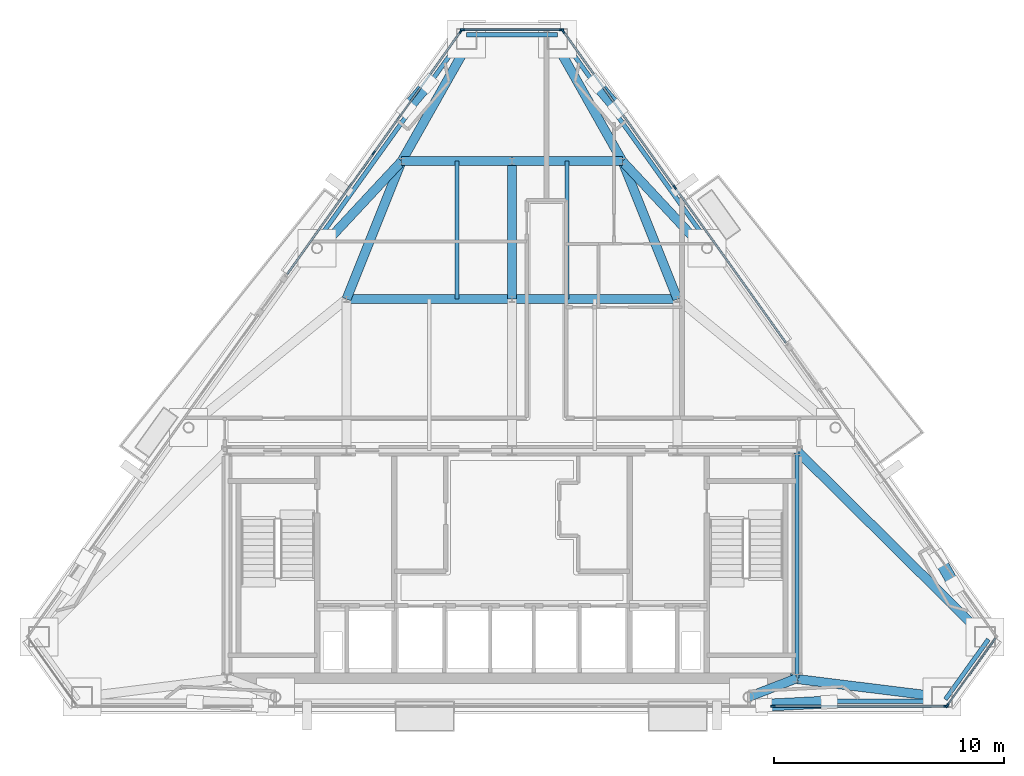
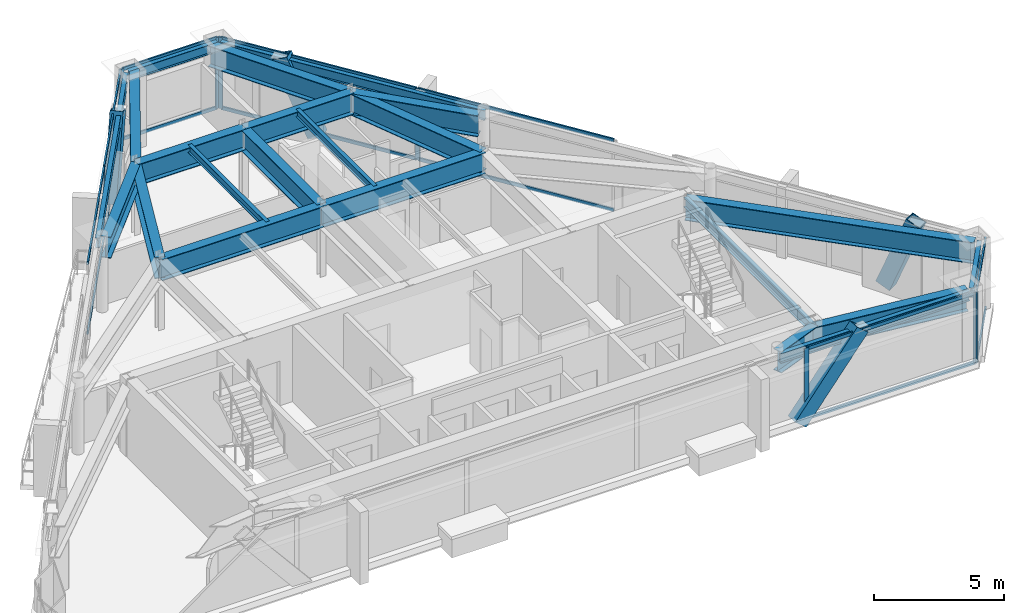
# One storey, part 5 of 11: 27 members, 22 beams, 5 elements without a shape of their own.
"""IFC4 building model written with IfcOpenShell, lengths in metres."""

from ifc_helpers import new_model, si_unit, direction, frame, origin, origin_2d, place, context, subcontext, project, spatial, rectangle, hollow_rectangle, i_section, extrude, material, layer, layer_set, material_profile, profile_set, type_object, element, aggregate, save


model = new_model("IFC4")

# Units and contexts
model_context = context("Model", 3, precision=1e-05, world=origin(), true_north=direction((0.0, 1.0)))
body_context = subcontext(model_context, "Body", "Model", "MODEL_VIEW")
ifc_project = project(units=[si_unit("LENGTHUNIT", "METRE"), si_unit("AREAUNIT", "SQUARE_METRE"), si_unit("VOLUMEUNIT", "CUBIC_METRE"), si_unit("PLANEANGLEUNIT", "RADIAN"), si_unit("MASSUNIT", "GRAM", prefix="KILO")], contexts=[model_context])

# Site, building, storey
site_placement = place(None, origin())
site = spatial("IfcSite", under=ifc_project, at=site_placement, CompositionType="ELEMENT")
building_placement = place(site_placement, origin())
building = spatial("IfcBuilding", under=site, at=building_placement, Name="Talgorran Terracotta Tower", CompositionType="ELEMENT")
storey_placement = place(building_placement, frame((0.0, 0.0, 274.199951171875)))
storey = spatial("IfcBuildingStorey", under=building, at=storey_placement, Name="L72", CompositionType="ELEMENT", Elevation=274.199951171875)

# Beams
ifc_material_1 = material(Name="Steel Grade 350 (350L0)", Category="steel")
ifc_material_profile_1 = material_profile(ifc_material_1, i_section(OverallWidth=0.39990234375, OverallDepth=1.0, WebThickness=0.01611328125, FlangeThickness=0.031005859375, at=origin_2d()), Name="1000WB296")
ifc_profile_set_1 = profile_set([ifc_material_profile_1], Name="Steel Grade 350 (350L0)")
beam_type_1 = type_object("IfcBeamType", Name="BM_1000WB296", PredefinedType="BEAM", material=ifc_profile_set_1)
beam_1_placement = place(storey_placement, frame((12.39990234375, -14.10009765625, 2.844970703125), z_axis=(-0.932081672707, -0.362248195859, 0.0), x_axis=(0.362248195859, -0.932081672707, 0.0)))
element("IfcBeam", 1, at=beam_1_placement, inside=storey, type_object=beam_type_1, Name="L72 South-East Core Tie Beam", PredefinedType="BEAM", context=body_context, shape_type="SweptSolid", body=[
    extrude(i_section(OverallWidth=0.39990234375, OverallDepth=1.0, WebThickness=0.01611328125, FlangeThickness=0.031005859375, at=origin_2d()), origin(), (0.0, 0.0, 1.0), 2.260498046875),
])
beam_2_placement = place(storey_placement, frame((18.71435546875, -14.9189453125, 2.844970703125), z_axis=(-0.992423710786, 0.122862436364, 0.0), x_axis=(-0.122862436364, -0.992423710786, 0.0)))
element("IfcBeam", 2, at=beam_2_placement, inside=storey, type_object=beam_type_1, Name="L72 Perimeter Step Girder 5", PredefinedType="BEAM", context=body_context, shape_type="SweptSolid", body=[
    extrude(i_section(OverallWidth=0.39990234375, OverallDepth=1.0, WebThickness=0.01611328125, FlangeThickness=0.031005859375, at=origin_2d()), origin(), (0.0, 0.0, 1.0), 6.664794921875),
])
for number, where, z_axis, x_axis, name in (
    (3, (1.697998046875, 13.889404296875, 2.844970703125), (0.491971771533, -0.870611150867, 0.0), (0.870611150867, 0.491971771533, 0.0), "L72 Perimeter Step Girder 9B"),
    (4, (-1.697998046875, 13.889404296875, 2.844970703125), (-0.491971771533, -0.870611150867, 0.0), (0.870611150867, -0.491971771533, 0.0), "L72 Perimeter Step Girder 10B"),
):
    element("IfcBeam", number, at=place(storey_placement, frame(where, z_axis=z_axis, x_axis=x_axis)), inside=storey, type_object=beam_type_1, Name=name, PredefinedType="BEAM", context=body_context, shape_type="SweptSolid", body=[
        extrude(i_section(OverallWidth=0.39990234375, OverallDepth=1.0, WebThickness=0.01611328125, FlangeThickness=0.031005859375, at=origin_2d()), origin(), (0.0, 0.0, 1.0), 6.305419921875),
    ])
for number, where, z_axis, x_axis, name in (
    (5, (-7.199951171875, 2.39990234375, 2.844970703125), (1.0, 0.0, 0.0), (0.0, 1.0, 0.0), "L72 Floor Girder G04"),
    (6, (0.0, 2.39990234375, 2.844970703125), (1.0, 0.0, 0.0), (0.0, 1.0, 0.0), "L72 Floor Girder G05"),
):
    element("IfcBeam", number, at=place(storey_placement, frame(where, z_axis=z_axis, x_axis=x_axis)), inside=storey, type_object=beam_type_1, Name=name, PredefinedType="BEAM", context=body_context, shape_type="SweptSolid", body=[
        extrude(i_section(OverallWidth=0.39990234375, OverallDepth=1.0, WebThickness=0.01611328125, FlangeThickness=0.031005859375, at=origin_2d()), origin(), (0.0, 0.0, 1.0), 7.199951171875),
    ])
beam_3_placement = place(storey_placement, frame((-7.199951171875, 2.39990234375, 2.844970703125), z_axis=(0.371377648723, 0.928481901832, 0.0), x_axis=(-0.928481901832, 0.371377648723, 0.0)))
element("IfcBeam", 7, at=beam_3_placement, inside=storey, type_object=beam_type_1, Name="L72 Floor Girder G08", PredefinedType="BEAM", context=body_context, shape_type="SweptSolid", body=[
    extrude(i_section(OverallWidth=0.39990234375, OverallDepth=1.0, WebThickness=0.01611328125, FlangeThickness=0.031005859375, at=origin_2d()), origin(), (0.0, 0.0, 1.0), 6.462158203125),
])
beam_4_placement = place(storey_placement, frame((0.0, 2.39990234375, 2.844970703125), z_axis=(0.0, 1.0, 0.0), x_axis=(-1.0, 0.0, 0.0)))
element("IfcBeam", 8, at=beam_4_placement, inside=storey, type_object=beam_type_1, Name="L72 Floor Girder G09", PredefinedType="BEAM", context=body_context, shape_type="SweptSolid", body=[
    extrude(i_section(OverallWidth=0.39990234375, OverallDepth=1.0, WebThickness=0.01611328125, FlangeThickness=0.031005859375, at=origin_2d()), origin(), (0.0, 0.0, 1.0), 6.0),
])
beam_5_placement = place(storey_placement, frame((7.199951171875, 2.39990234375, 2.844970703125), z_axis=(-0.371377648723, 0.928481901832, 0.0), x_axis=(-0.928481901832, -0.371377648723, 0.0)))
element("IfcBeam", 9, at=beam_5_placement, inside=storey, type_object=beam_type_1, Name="L72 Floor Girder G10", PredefinedType="BEAM", context=body_context, shape_type="SweptSolid", body=[
    extrude(i_section(OverallWidth=0.39990234375, OverallDepth=1.0, WebThickness=0.01611328125, FlangeThickness=0.031005859375, at=origin_2d()), origin(), (0.0, 0.0, 1.0), 6.462158203125),
])
for number, where, z_axis, x_axis, name in (
    (10, (-4.800048828125, 8.39990234375, 2.844970703125), (1.0, 0.0, 0.0), (0.0, 1.0, 0.0), "L72 Floor Girder G11"),
    (11, (0.0, 8.39990234375, 2.844970703125), (1.0, 0.0, 0.0), (0.0, 1.0, 0.0), "L72 Floor Girder G12"),
):
    element("IfcBeam", number, at=place(storey_placement, frame(where, z_axis=z_axis, x_axis=x_axis)), inside=storey, type_object=beam_type_1, Name=name, PredefinedType="BEAM", context=body_context, shape_type="SweptSolid", body=[
        extrude(i_section(OverallWidth=0.39990234375, OverallDepth=1.0, WebThickness=0.01611328125, FlangeThickness=0.031005859375, at=origin_2d()), origin(), (0.0, 0.0, 1.0), 4.800048828125),
    ])
for number, where, z_axis, x_axis, name in (
    (12, (-4.800048828125, 8.39990234375, 2.844970703125), (-0.681815691215, -0.731524000435, 0.0), (0.731524000435, -0.681815691215, 0.0), "L72 Floor Girder G13"),
    (13, (4.800048828125, 8.39990234375, 2.844970703125), (0.681815691215, -0.731524000435, 0.0), (0.731524000435, 0.681815691215, 0.0), "L72 Floor Girder G14"),
):
    element("IfcBeam", number, at=place(storey_placement, frame(where, z_axis=z_axis, x_axis=x_axis)), inside=storey, type_object=beam_type_1, Name=name, PredefinedType="BEAM", context=body_context, shape_type="SweptSolid", body=[
        extrude(i_section(OverallWidth=0.39990234375, OverallDepth=1.0, WebThickness=0.01611328125, FlangeThickness=0.031005859375, at=origin_2d()), origin(), (0.0, 0.0, 1.0), 5.142333984375),
    ])
beam_6_placement = place(storey_placement, frame((12.39990234375, -4.199951171875, 2.844970703125), z_axis=(0.710637755688, -0.703558085868, 0.0), x_axis=(0.703558085868, 0.710637755688, 0.0)))
element("IfcBeam", 14, at=beam_6_placement, inside=storey, type_object=beam_type_1, Name="L72 Floor Girder G18", PredefinedType="BEAM", context=body_context, shape_type="SweptSolid", body=[
    extrude(i_section(OverallWidth=0.39990234375, OverallDepth=1.0, WebThickness=0.01611328125, FlangeThickness=0.031005859375, at=origin_2d()), origin(), (0.0, 0.0, 1.0), 11.517822265625),
])
ifc_material_2 = material(Name="Steel S355 (300PLUS)", Category="steel")
ifc_material_profile_2 = material_profile(ifc_material_2, i_section(OverallWidth=0.17138671875, OverallDepth=0.355712890625, WebThickness=0.00732421875, FlangeThickness=0.011474609375, at=origin_2d()), Name="360UB50.7")
ifc_profile_set_2 = profile_set([ifc_material_profile_2], Name="Steel S355 (300PLUS)")
beam_type_2 = type_object("IfcBeamType", Name="BM_JS_360UB51", PredefinedType="JOIST", material=ifc_profile_set_2)
for number, where, z_axis, x_axis, name in (
    (15, (-2.39990234375, 2.39990234375, 3.167236328125), (0.0, 1.0, 0.0), (-1.0, 0.0, 0.0), "L72 Secondary Joist J03"),
    (16, (2.39990234375, 2.39990234375, 3.167236328125), (0.0, 1.0, 0.0), (-1.0, 0.0, 0.0), "L72 Secondary Joist J04"),
):
    element("IfcBeam", number, at=place(storey_placement, frame(where, z_axis=z_axis, x_axis=x_axis)), inside=storey, type_object=beam_type_2, Name=name, PredefinedType="JOIST", context=body_context, shape_type="SweptSolid", body=[
        extrude(i_section(OverallWidth=0.17138671875, OverallDepth=0.355712890625, WebThickness=0.00732421875, FlangeThickness=0.011474609375, at=origin_2d()), origin(), (0.0, 0.0, 1.0), 6.0),
    ])
ifc_material_profile_3 = material_profile(ifc_material_2, i_section(OverallWidth=0.18994140625, OverallDepth=0.45703125, WebThickness=0.009033203125, FlangeThickness=0.014404296875, at=origin_2d()), Name="460UB74.6")
ifc_profile_set_3 = profile_set([ifc_material_profile_3], Name="Steel S355 (300PLUS)")
beam_type_3 = type_object("IfcBeamType", Name="BM_SP_460UB74", PredefinedType="SPANDREL", material=ifc_profile_set_3)
beam_7_placement = place(storey_placement, frame((10.29296875, -15.098876953125, 3.116455078125), z_axis=(1.0, 0.0, 0.0), x_axis=(0.0, 1.0, 0.0)))
element("IfcBeam", 17, at=beam_7_placement, inside=storey, type_object=beam_type_3, Name="L72 Perimeter Spandrel Beam FC2-MC3", PredefinedType="SPANDREL", context=body_context, shape_type="SweptSolid", body=[
    extrude(i_section(OverallWidth=0.18994140625, OverallDepth=0.45703125, WebThickness=0.009033203125, FlangeThickness=0.014404296875, at=origin_2d()), origin(), (0.0, 0.0, 1.0), 8.42138671875),
])
beam_8_placement = place(storey_placement, frame((18.860595703125, -15.023681640625, 3.116455078125), z_axis=(0.581733647308, 0.8133793479, 0.0), x_axis=(-0.8133793479, 0.581733647308, 0.0)))
element("IfcBeam", 18, at=beam_8_placement, inside=storey, type_object=beam_type_3, Name="L72 Perimeter Spandrel Beam MC3-MC4", PredefinedType="SPANDREL", context=body_context, shape_type="SweptSolid", body=[
    extrude(i_section(OverallWidth=0.18994140625, OverallDepth=0.45703125, WebThickness=0.009033203125, FlangeThickness=0.014404296875, at=origin_2d()), origin(), (0.0, 0.0, 1.0), 3.215576171875),
])
beam_9_placement = place(storey_placement, frame((8.635009765625, 4.71435546875, 3.116455078125), z_axis=(-0.58172898954, 0.813382679142, 0.0), x_axis=(-0.813382679142, -0.58172898954, 0.0)))
element("IfcBeam", 19, at=beam_9_placement, inside=storey, type_object=beam_type_3, Name="L72 Perimeter Spandrel Beam FC4-MC5", PredefinedType="SPANDREL", context=body_context, shape_type="SweptSolid", body=[
    extrude(i_section(OverallWidth=0.18994140625, OverallDepth=0.45703125, WebThickness=0.009033203125, FlangeThickness=0.014404296875, at=origin_2d()), origin(), (0.0, 0.0, 1.0), 11.19677734375),
])
beam_10_placement = place(storey_placement, frame((1.97509765625, 13.896728515625, 3.116455078125), z_axis=(-1.0, 0.0, 0.0), x_axis=(0.0, -1.0, 0.0)))
element("IfcBeam", 20, at=beam_10_placement, inside=storey, type_object=beam_type_3, Name="L72 Perimeter Spandrel Beam MC5-MC6", PredefinedType="SPANDREL", context=body_context, shape_type="SweptSolid", body=[
    extrude(i_section(OverallWidth=0.18994140625, OverallDepth=0.45703125, WebThickness=0.009033203125, FlangeThickness=0.014404296875, at=origin_2d()), origin(), (0.0, 0.0, 1.0), 3.9501953125),
])
beam_11_placement = place(storey_placement, frame((-2.12158203125, 13.821533203125, 3.116455078125), z_axis=(-0.58172898954, -0.813382679142, 0.0), x_axis=(0.813382679142, -0.58172898954, 0.0)))
element("IfcBeam", 21, at=beam_11_placement, inside=storey, type_object=beam_type_3, Name="L72 Perimeter Spandrel Beam MC6-FC5", PredefinedType="SPANDREL", context=body_context, shape_type="SweptSolid", body=[
    extrude(i_section(OverallWidth=0.18994140625, OverallDepth=0.45703125, WebThickness=0.009033203125, FlangeThickness=0.014404296875, at=origin_2d()), origin(), (0.0, 0.0, 1.0), 11.19677734375),
])
beam_12_placement = place(storey_placement, frame((12.39990234375, -14.10009765625, 3.116455078125), z_axis=(0.0, 1.0, 0.0), x_axis=(-1.0, 0.0, 0.0)))
element("IfcBeam", 22, at=beam_12_placement, inside=storey, type_object=beam_type_3, Name="L72 Core Frame Beam CFE", PredefinedType="SPANDREL", context=body_context, shape_type="SweptSolid", body=[
    extrude(i_section(OverallWidth=0.18994140625, OverallDepth=0.45703125, WebThickness=0.009033203125, FlangeThickness=0.014404296875, at=origin_2d()), origin(), (0.0, 0.0, 1.0), 9.900146484375),
])

# Members
ifc_material_profile_4 = material_profile(ifc_material_1, hollow_rectangle(XDim=0.52001953125, YDim=0.659912109375, WallThickness=0.034912109375, at=origin_2d()), Name="WBOX660X520X35")
ifc_profile_set_4 = profile_set([ifc_material_profile_4], Name="Steel Grade 350 (350L0)")
member_type_1 = type_object("IfcMemberType", Name="MB_MEGA_660", PredefinedType="BRACE", material=ifc_profile_set_4)
member_1_placement = place(storey_placement, frame((10.961669921875, -15.27880859375, -0.02490234375), z_axis=(0.641393938634, 0.032576814862, 0.766519775751), x_axis=(-0.050725264119, 0.998712645149, 0.0)))
element("IfcMember", 23, at=member_1_placement, inside=storey, type_object=member_type_1, Name="L72 Exterior Face Mega-Brace MB-3 (SEF)", PredefinedType="BRACE", context=body_context, shape_type="SweptSolid", body=[
    extrude(hollow_rectangle(XDim=0.52001953125, YDim=0.659912109375, WallThickness=0.034912109375, at=origin_2d()), origin(), (0.0, 0.0, 1.0), 4.42919921875),
])
member_2_placement = place(storey_placement, frame((18.593505859375, -8.900390625, -0.02490234375), z_axis=(0.182497886577, -0.322176905916, 0.92892225869), x_axis=(0.870102136053, 0.492871456707, 0.0)))
element("IfcMember", 24, at=member_2_placement, inside=storey, type_object=member_type_1, Name="L72 Exterior Face Mega-Brace MB-3 (NEL)", PredefinedType="BRACE", context=body_context, shape_type="SweptSolid", body=[
    extrude(hollow_rectangle(XDim=0.52001953125, YDim=0.659912109375, WallThickness=0.034912109375, at=origin_2d()), origin(), (0.0, 0.0, 1.0), 3.65478515625),
])
for number, where, z_axis, x_axis, name in (
    (25, (4.593994140625, 10.673583984375, -0.02490234375), (-0.257058118853, 0.30058363281, 0.918460997113), (-0.759986965306, -0.64993831443, 0.0), "L72 Exterior Face Mega-Brace MB-3 (NEU)"),
    (26, (-4.593994140625, 10.673583984375, -0.02490234375), (0.257058118853, 0.30058363281, 0.918460997113), (-0.759986965306, 0.64993831443, 0.0), "L72 Exterior Face Mega-Brace MB-3 (NWU)"),
):
    element("IfcMember", number, at=place(storey_placement, frame(where, z_axis=z_axis, x_axis=x_axis)), inside=storey, type_object=member_type_1, Name=name, PredefinedType="BRACE", context=body_context, shape_type="SweptSolid", body=[
        extrude(hollow_rectangle(XDim=0.52001953125, YDim=0.659912109375, WallThickness=0.034912109375, at=origin_2d()), origin(), (0.0, 0.0, 1.0), 3.696533203125),
    ])

# Curtain wall, members
ifc_material_3 = material(Name="High-Wind Unitised Glazing", Category="glass")
ifc_layer = layer(ifc_material_3, 0.2099609375, Name="CW_SYS3_RES_HIGH")
ifc_layer_set = layer_set([ifc_layer], Name="High-Wind Unitised Glazing")
curtain_wall_type = type_object("IfcCurtainWallType", Name="CW_SYS3_RES_HIGH", PredefinedType="NOTDEFINED", material=ifc_layer_set)
curtain_wall_1_placement = place(storey_placement, origin())
curtain_wall_1 = element("IfcCurtainWall", 27, at=curtain_wall_1_placement, inside=storey, type_object=curtain_wall_type, Name="CW-L72-F1", PredefinedType="NOTDEFINED")
ifc_material_4 = material(Name="Architectural Aluminium 6063-T6", Category="aluminium")
ifc_material_profile_5 = material_profile(ifc_material_4, rectangle(XDim=0.070068359375, YDim=0.199951171875, at=origin_2d()), Name="CWM70X200")
ifc_profile_set_5 = profile_set([ifc_material_profile_5], Name="Architectural Aluminium 6063-T6")
member_type_2 = type_object("IfcMemberType", Name="MUL_70X200", PredefinedType="MULLION", material=ifc_profile_set_5)
member_3_placement = place(storey_placement, frame((11.35205078125, -15.31884765625, 0.0), z_axis=(0.0, 0.0, 1.0), x_axis=(0.0, 1.0, 0.0)))
member_3 = element("IfcMember", 28, at=member_3_placement, type_object=member_type_2, Name="CW-L72-1 mullion 5", PredefinedType="MULLION", context=body_context, shape_type="SweptSolid", body=[
    extrude(rectangle(XDim=0.070068359375, YDim=0.199951171875, at=origin_2d()), origin(), (0.0, 0.0, 1.0), 3.344970703125),
])
member_4_placement = place(storey_placement, frame((18.885009765625, -15.31884765625, 0.0), z_axis=(0.0, 0.0, 1.0), x_axis=(0.0, 1.0, 0.0)))
member_4 = element("IfcMember", 29, at=member_4_placement, type_object=member_type_2, Name="CW-L72-1 mullion 6", PredefinedType="MULLION", context=body_context, shape_type="SweptSolid", body=[
    extrude(rectangle(XDim=0.070068359375, YDim=0.199951171875, at=origin_2d()), origin(), (0.0, 0.0, 1.0), 3.344970703125),
])

# Curtain wall, member
curtain_wall_2_placement = place(storey_placement, origin())
curtain_wall_2 = element("IfcCurtainWall", 30, at=curtain_wall_2_placement, inside=storey, type_object=curtain_wall_type, Name="CW-L72-F2", PredefinedType="NOTDEFINED")
member_5_placement = place(storey_placement, frame((18.9404296875, -15.29052734375, 0.0), z_axis=(0.0, 0.0, 1.0), x_axis=(-0.813370623345, 0.581745845777, 0.0)))
member_5 = element("IfcMember", 31, at=member_5_placement, type_object=member_type_2, Name="CW-L72-2 mullion 1", PredefinedType="MULLION", context=body_context, shape_type="SweptSolid", body=[
    extrude(rectangle(XDim=0.070068359375, YDim=0.199951171875, at=origin_2d()), origin(), (0.0, 0.0, 1.0), 3.344970703125),
])

# Curtain wall, members
curtain_wall_3_placement = place(storey_placement, origin())
curtain_wall_3 = element("IfcCurtainWall", 32, at=curtain_wall_3_placement, inside=storey, type_object=curtain_wall_type, Name="CW-L72-F41", PredefinedType="NOTDEFINED")
member_6_placement = place(storey_placement, frame((7.0810546875, 7.26513671875, 0.0), z_axis=(0.0, 0.0, 1.0), x_axis=(-0.813379914508, -0.581732855076, 0.0)))
member_6 = element("IfcMember", 33, at=member_6_placement, type_object=member_type_2, Name="CW-L72-41 mullion 2", PredefinedType="MULLION", context=body_context, shape_type="SweptSolid", body=[
    extrude(rectangle(XDim=0.070068359375, YDim=0.199951171875, at=origin_2d()), origin(), (0.0, 0.0, 1.0), 3.344970703125),
])
member_7_placement = place(storey_placement, frame((2.224365234375, 14.055908203125, 0.0), z_axis=(0.0, 0.0, 1.0), x_axis=(-0.813379914508, -0.581732855076, 0.0)))
member_7 = element("IfcMember", 34, at=member_7_placement, type_object=member_type_2, Name="CW-L72-41 mullion 3", PredefinedType="MULLION", context=body_context, shape_type="SweptSolid", body=[
    extrude(rectangle(XDim=0.070068359375, YDim=0.199951171875, at=origin_2d()), origin(), (0.0, 0.0, 1.0), 3.344970703125),
])

curtain_wall_4_placement = place(storey_placement, origin())
curtain_wall_4 = element("IfcCurtainWall", 35, at=curtain_wall_4_placement, inside=storey, type_object=curtain_wall_type, Name="CW-L72-F4", PredefinedType="NOTDEFINED")
member_8_placement = place(storey_placement, frame((2.145751953125, 14.11669921875, 0.0), z_axis=(0.0, 0.0, 1.0), x_axis=(0.0, -1.0, 0.0)))
member_8 = element("IfcMember", 36, at=member_8_placement, type_object=member_type_2, Name="CW-L72-4 mullion 1", PredefinedType="MULLION", context=body_context, shape_type="SweptSolid", body=[
    extrude(rectangle(XDim=0.070068359375, YDim=0.199951171875, at=origin_2d()), origin(), (0.0, 0.0, 1.0), 3.344970703125),
])
member_9_placement = place(storey_placement, frame((-2.145751953125, 14.11669921875, 0.0), z_axis=(0.0, 0.0, 1.0), x_axis=(0.0, -1.0, 0.0)))
member_9 = element("IfcMember", 37, at=member_9_placement, type_object=member_type_2, Name="CW-L72-4 mullion 2", PredefinedType="MULLION", context=body_context, shape_type="SweptSolid", body=[
    extrude(rectangle(XDim=0.070068359375, YDim=0.199951171875, at=origin_2d()), origin(), (0.0, 0.0, 1.0), 3.344970703125),
])

curtain_wall_5_placement = place(storey_placement, origin())
curtain_wall_5 = element("IfcCurtainWall", 38, at=curtain_wall_5_placement, inside=storey, type_object=curtain_wall_type, Name="CW-L72-F60", PredefinedType="NOTDEFINED")
member_10_placement = place(storey_placement, frame((-2.224365234375, 14.055908203125, 0.0), z_axis=(0.0, 0.0, 1.0), x_axis=(0.813381052188, -0.581731264367, 0.0)))
member_10 = element("IfcMember", 39, at=member_10_placement, type_object=member_type_2, Name="CW-L72-60 mullion 1", PredefinedType="MULLION", context=body_context, shape_type="SweptSolid", body=[
    extrude(rectangle(XDim=0.070068359375, YDim=0.199951171875, at=origin_2d()), origin(), (0.0, 0.0, 1.0), 3.344970703125),
])
member_11_placement = place(storey_placement, frame((-6.0146484375, 8.756591796875, 0.0), z_axis=(0.0, 0.0, 1.0), x_axis=(0.813381052188, -0.581731264367, 0.0)))
member_11 = element("IfcMember", 40, at=member_11_placement, type_object=member_type_2, Name="CW-L72-60 mullion 2", PredefinedType="MULLION", context=body_context, shape_type="SweptSolid", body=[
    extrude(rectangle(XDim=0.070068359375, YDim=0.199951171875, at=origin_2d()), origin(), (0.0, 0.0, 1.0), 3.344970703125),
])

# Member
ifc_material_profile_6 = material_profile(ifc_material_4, rectangle(XDim=0.070068359375, YDim=0.159912109375, at=origin_2d()), Name="CWT70X160")
ifc_profile_set_6 = profile_set([ifc_material_profile_6], Name="Architectural Aluminium 6063-T6")
member_type_3 = type_object("IfcMemberType", Name="TRN_70X160", PredefinedType="USERDEFINED", material=ifc_profile_set_6)
member_12_placement = place(storey_placement, frame((11.386962890625, -15.31884765625, 0.03515625), z_axis=(1.0, 0.0, 0.0), x_axis=(0.0, 1.0, 0.0)))
member_12 = element("IfcMember", 41, at=member_12_placement, type_object=member_type_3, Name="CW-L72-1 transom 5.1", ObjectType="TRANSOM", PredefinedType="USERDEFINED", context=body_context, shape_type="SweptSolid", body=[
    extrude(rectangle(XDim=0.070068359375, YDim=0.159912109375, at=origin_2d()), origin(), (0.0, 0.0, 1.0), 7.463134765625),
])

member_13_placement = place(storey_placement, frame((11.386962890625, -15.31884765625, 3.31005859375), z_axis=(1.0, 0.0, 0.0), x_axis=(0.0, 1.0, 0.0)))
member_13 = element("IfcMember", 42, at=member_13_placement, type_object=member_type_3, Name="CW-L72-1 transom 5.2", ObjectType="TRANSOM", PredefinedType="USERDEFINED", context=body_context, shape_type="SweptSolid", body=[
    extrude(rectangle(XDim=0.070068359375, YDim=0.159912109375, at=origin_2d()), origin(), (0.0, 0.0, 1.0), 7.463134765625),
])

aggregate(curtain_wall_1, [member_3, member_4, member_12, member_13])

member_14_placement = place(storey_placement, frame((18.960693359375, -15.261962890625, 0.03515625), z_axis=(0.581723630641, 0.813386511785, 0.0), x_axis=(-0.813386511785, 0.581723630641, 0.0)))
member_14 = element("IfcMember", 43, at=member_14_placement, type_object=member_type_3, Name="CW-L72-2 transom 1.1", ObjectType="TRANSOM", PredefinedType="USERDEFINED", context=body_context, shape_type="SweptSolid", body=[
    extrude(rectangle(XDim=0.070068359375, YDim=0.159912109375, at=origin_2d()), origin(), (0.0, 0.0, 1.0), 3.5673828125),
])

member_15_placement = place(storey_placement, frame((18.960693359375, -15.261962890625, 3.31005859375), z_axis=(0.581723630641, 0.813386511785, 0.0), x_axis=(-0.813386511785, 0.581723630641, 0.0)))
member_15 = element("IfcMember", 44, at=member_15_placement, type_object=member_type_3, Name="CW-L72-2 transom 1.2", ObjectType="TRANSOM", PredefinedType="USERDEFINED", context=body_context, shape_type="SweptSolid", body=[
    extrude(rectangle(XDim=0.070068359375, YDim=0.159912109375, at=origin_2d()), origin(), (0.0, 0.0, 1.0), 3.5673828125),
])

aggregate(curtain_wall_2, [member_5, member_14, member_15])

member_16_placement = place(storey_placement, frame((11.91748046875, 0.5029296875, 0.03515625), z_axis=(-0.581717901432, 0.813390609211, 0.0), x_axis=(-0.813390609211, -0.581717901432, 0.0)))
member_16 = element("IfcMember", 45, at=member_16_placement, type_object=member_type_3, Name="CW-L72-41 transom 1.1", ObjectType="TRANSOM", PredefinedType="USERDEFINED", context=body_context, shape_type="SweptSolid", body=[
    extrude(rectangle(XDim=0.070068359375, YDim=0.159912109375, at=origin_2d()), origin(), (0.0, 0.0, 1.0), 8.27880859375),
])

member_17_placement = place(storey_placement, frame((11.91748046875, 0.5029296875, 3.31005859375), z_axis=(-0.581717901432, 0.813390609211, 0.0), x_axis=(-0.813390609211, -0.581717901432, 0.0)))
member_17 = element("IfcMember", 46, at=member_17_placement, type_object=member_type_3, Name="CW-L72-41 transom 1.2", ObjectType="TRANSOM", PredefinedType="USERDEFINED", context=body_context, shape_type="SweptSolid", body=[
    extrude(rectangle(XDim=0.070068359375, YDim=0.159912109375, at=origin_2d()), origin(), (0.0, 0.0, 1.0), 8.27880859375),
])

member_18_placement = place(storey_placement, frame((7.060791015625, 7.293701171875, 0.03515625), z_axis=(-0.58173185524, 0.813380629594, 0.0), x_axis=(-0.813380629594, -0.58173185524, 0.0)))
member_18 = element("IfcMember", 47, at=member_18_placement, type_object=member_type_3, Name="CW-L72-41 transom 2.1", ObjectType="TRANSOM", PredefinedType="USERDEFINED", context=body_context, shape_type="SweptSolid", body=[
    extrude(rectangle(XDim=0.070068359375, YDim=0.159912109375, at=origin_2d()), origin(), (0.0, 0.0, 1.0), 8.278564453125),
])

member_19_placement = place(storey_placement, frame((7.060791015625, 7.293701171875, 3.31005859375), z_axis=(-0.58173185524, 0.813380629594, 0.0), x_axis=(-0.813380629594, -0.58173185524, 0.0)))
member_19 = element("IfcMember", 48, at=member_19_placement, type_object=member_type_3, Name="CW-L72-41 transom 2.2", ObjectType="TRANSOM", PredefinedType="USERDEFINED", context=body_context, shape_type="SweptSolid", body=[
    extrude(rectangle(XDim=0.070068359375, YDim=0.159912109375, at=origin_2d()), origin(), (0.0, 0.0, 1.0), 8.278564453125),
])

aggregate(curtain_wall_3, [member_6, member_7, member_16, member_17, member_18, member_19])

member_20_placement = place(storey_placement, frame((2.11083984375, 14.11669921875, 0.03515625), z_axis=(-1.0, 0.0, 0.0), x_axis=(0.0, -1.0, 0.0)))
member_20 = element("IfcMember", 49, at=member_20_placement, type_object=member_type_3, Name="CW-L72-4 transom 1.1", ObjectType="TRANSOM", PredefinedType="USERDEFINED", context=body_context, shape_type="SweptSolid", body=[
    extrude(rectangle(XDim=0.070068359375, YDim=0.159912109375, at=origin_2d()), origin(), (0.0, 0.0, 1.0), 4.2216796875),
])

member_21_placement = place(storey_placement, frame((2.11083984375, 14.11669921875, 3.31005859375), z_axis=(-1.0, 0.0, 0.0), x_axis=(0.0, -1.0, 0.0)))
member_21 = element("IfcMember", 50, at=member_21_placement, type_object=member_type_3, Name="CW-L72-4 transom 1.2", ObjectType="TRANSOM", PredefinedType="USERDEFINED", context=body_context, shape_type="SweptSolid", body=[
    extrude(rectangle(XDim=0.070068359375, YDim=0.159912109375, at=origin_2d()), origin(), (0.0, 0.0, 1.0), 4.2216796875),
])

aggregate(curtain_wall_4, [member_8, member_9, member_20, member_21])

member_22_placement = place(storey_placement, frame((-2.244873046875, 14.02734375, 0.03515625), z_axis=(-0.581718243071, -0.81339036488, 0.0), x_axis=(0.81339036488, -0.581718243071, 0.0)))
member_22 = element("IfcMember", 51, at=member_22_placement, type_object=member_type_3, Name="CW-L72-60 transom 1.1", ObjectType="TRANSOM", PredefinedType="USERDEFINED", context=body_context, shape_type="SweptSolid", body=[
    extrude(rectangle(XDim=0.070068359375, YDim=0.159912109375, at=origin_2d()), origin(), (0.0, 0.0, 1.0), 6.445068359375),
])

member_23_placement = place(storey_placement, frame((-2.244873046875, 14.02734375, 3.31005859375), z_axis=(-0.581718243071, -0.81339036488, 0.0), x_axis=(0.81339036488, -0.581718243071, 0.0)))
member_23 = element("IfcMember", 52, at=member_23_placement, type_object=member_type_3, Name="CW-L72-60 transom 1.2", ObjectType="TRANSOM", PredefinedType="USERDEFINED", context=body_context, shape_type="SweptSolid", body=[
    extrude(rectangle(XDim=0.070068359375, YDim=0.159912109375, at=origin_2d()), origin(), (0.0, 0.0, 1.0), 6.445068359375),
])

member_24_placement = place(storey_placement, frame((-6.034912109375, 8.72802734375, 0.03515625), z_axis=(-0.581718243071, -0.81339036488, 0.0), x_axis=(0.81339036488, -0.581718243071, 0.0)))
member_24 = element("IfcMember", 53, at=member_24_placement, type_object=member_type_3, Name="CW-L72-60 transom 2.1", ObjectType="TRANSOM", PredefinedType="USERDEFINED", context=body_context, shape_type="SweptSolid", body=[
    extrude(rectangle(XDim=0.070068359375, YDim=0.159912109375, at=origin_2d()), origin(), (0.0, 0.0, 1.0), 6.445068359375),
])

member_25_placement = place(storey_placement, frame((-6.034912109375, 8.72802734375, 3.31005859375), z_axis=(-0.581718243071, -0.81339036488, 0.0), x_axis=(0.81339036488, -0.581718243071, 0.0)))
member_25 = element("IfcMember", 54, at=member_25_placement, type_object=member_type_3, Name="CW-L72-60 transom 2.2", ObjectType="TRANSOM", PredefinedType="USERDEFINED", context=body_context, shape_type="SweptSolid", body=[
    extrude(rectangle(XDim=0.070068359375, YDim=0.159912109375, at=origin_2d()), origin(), (0.0, 0.0, 1.0), 6.445068359375),
])

aggregate(curtain_wall_5, [member_10, member_11, member_22, member_23, member_24, member_25])

save(model, "model.ifc")
